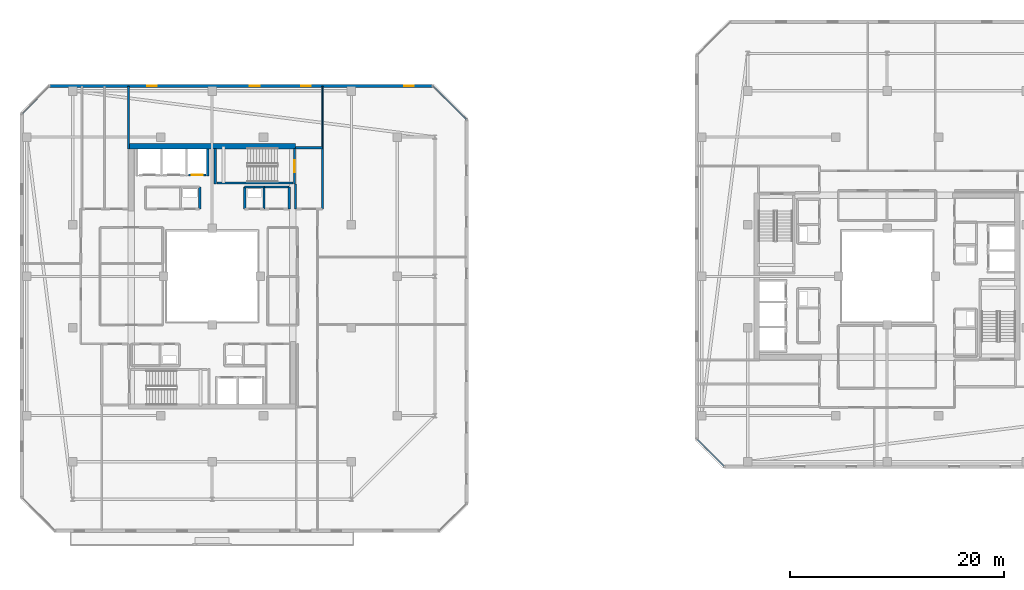
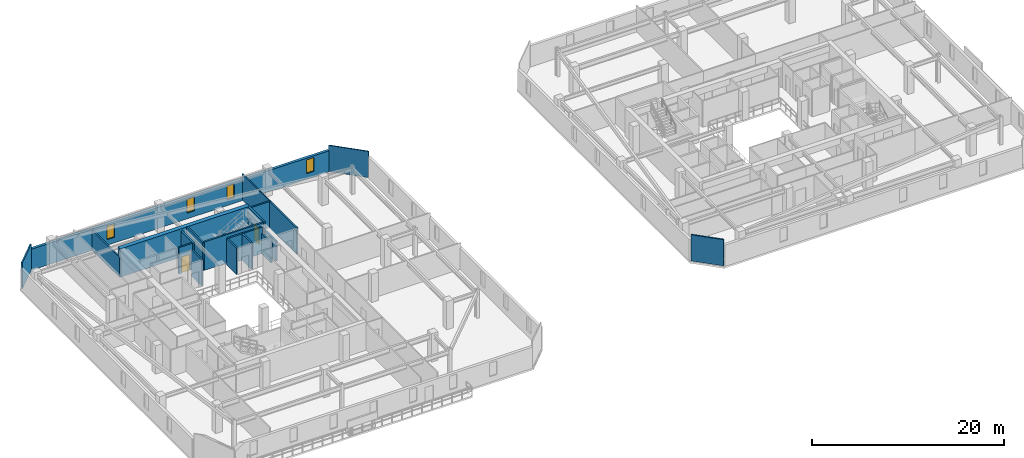
# One storey, part 24 of 35: 21 walls, 4 windows, 2 doors, 6 openings.
"""IFC4 building model written with IfcOpenShell, lengths in metres."""

import ifcopenshell
import ifcopenshell.guid

model = None  # the IFC model being written
_history = None  # IfcOwnerHistory: only IFC2X3 demands one
_inside = {}  # id of a spatial element -> (the spatial element, [elements in it])
_under = {}  # id of a project, library or spatial element -> (it, [spatial elements below it])
_declared = {}  # id of a project -> (the project, [libraries it declares])
_typed = {}  # id of a type object -> (the type object, [elements of that type])
_made_of = {}  # id of a material, layer set ... -> (it, [elements and type objects made of it])


def new_model(schema):
    """Start an empty IFC model of exactly this schema.

    Asked for "IFC4X3", IfcOpenShell would pick the latest addendum, in which some entities
    have other attributes; the version numbers below select the first issue.
    IFC2X3 requires an IfcOwnerHistory on every rooted entity: one is made here for all.
    """
    global model, _history
    if schema == "IFC4X3":
        model = ifcopenshell.file(schema_version=(4, 3, 0, 0))
    else:
        model = ifcopenshell.file(schema=schema)
    _inside.clear()
    _under.clear()
    _declared.clear()
    _typed.clear()
    _made_of.clear()
    _history = None
    if model.schema == "IFC2X3":
        org = make("IfcOrganization", Name="unknown")
        user = make(
            "IfcPersonAndOrganization",
            ThePerson=make("IfcPerson", FamilyName="unknown"),
            TheOrganization=org,
        )
        app = make(
            "IfcApplication",
            ApplicationDeveloper=org,
            Version="unknown",
            ApplicationFullName="unknown",
            ApplicationIdentifier="unknown",
        )
        _history = make(
            "IfcOwnerHistory",
            OwningUser=user,
            OwningApplication=app,
            ChangeAction="ADDED",
            CreationDate=0,
        )
    return model


def make(cls, **values):
    """One entity of the class cls with the attributes given. An attribute that is None is left unset."""
    return model.create_entity(
        cls, **{name: value for name, value in values.items() if value is not None}
    )


def rooted(cls, **values):
    """An entity with a GlobalId (a new one), such as an element, a storey or a relation."""
    return make(cls, GlobalId=ifcopenshell.guid.new(), OwnerHistory=_history, **values)


def si_unit(unit_type, name, prefix=None):
    """IfcSIUnit, for example si_unit("LENGTHUNIT", "METRE", prefix="MILLI")."""
    return make("IfcSIUnit", UnitType=unit_type, Prefix=prefix, Name=name)


def assignment(units):
    """IfcUnitAssignment: the units of a project."""
    return None if units is None else make("IfcUnitAssignment", Units=units)


def point(xyz):
    """IfcCartesianPoint."""
    return None if xyz is None else make("IfcCartesianPoint", Coordinates=xyz)


def direction(xyz):
    """IfcDirection."""
    return None if xyz is None else make("IfcDirection", DirectionRatios=xyz)


def frame(location, z_axis=None, x_axis=None):
    """IfcAxis2Placement3D, a coordinate frame: its origin and axes. An axis left out is left unset."""
    return make(
        "IfcAxis2Placement3D",
        Location=point(location),
        Axis=direction(z_axis),
        RefDirection=direction(x_axis),
    )


def frame_2d(location, x_axis=None):
    """IfcAxis2Placement2D, a coordinate frame in the plane: its origin and x axis."""
    return make(
        "IfcAxis2Placement2D", Location=point(location), RefDirection=direction(x_axis)
    )


def origin():
    """The frame at (0, 0, 0) with its axes left unset."""
    return frame((0.0, 0.0, 0.0))


def place(relative_to, where):
    """IfcLocalPlacement: puts the frame where relative to a parent placement (None: the world)."""
    return make(
        "IfcLocalPlacement", PlacementRelTo=relative_to, RelativePlacement=where
    )


def context(
    kind, dimensions, precision=None, world=None, true_north=None, identifier=None
):
    """IfcGeometricRepresentationContext, for example the 3D "Model" context."""
    return make(
        "IfcGeometricRepresentationContext",
        ContextIdentifier=identifier,
        ContextType=kind,
        CoordinateSpaceDimension=dimensions,
        Precision=precision,
        WorldCoordinateSystem=world,
        TrueNorth=true_north,
    )


def subcontext(parent, identifier, kind, view, scale=None):
    """IfcGeometricRepresentationSubContext, for example "Body" below "Model"."""
    return make(
        "IfcGeometricRepresentationSubContext",
        ContextIdentifier=identifier,
        ContextType=kind,
        ParentContext=parent,
        TargetScale=scale,
        TargetView=view,
    )


def project(units=None, contexts=None):
    """IfcProject with its units and contexts."""
    return rooted(
        "IfcProject",
        Name="project",
        RepresentationContexts=contexts,
        UnitsInContext=assignment(units),
    )


def spatial(cls, under=None, at=None, **own):
    """A site, building, storey or space (cls), placed at a placement, below another one or the project."""
    s = rooted(cls, ObjectPlacement=at, **own)
    if under is not None:
        _under.setdefault(under.id(), (under, []))[1].append(s)
    return s


def profile(cls, at=None, kind="AREA", **sizes):
    """A parametric profile (cls). Its sizes go by their IFC names, for example OverallWidth=200.0."""
    return make(cls, ProfileType=kind, Position=at, **sizes)


def rectangle(**sizes):
    """IfcRectangleProfileDef."""
    return profile("IfcRectangleProfileDef", **sizes)


def extrude(swept, where, along, depth):
    """IfcExtrudedAreaSolid: the profile swept, set in the frame where, extruded along a direction by depth."""
    return make(
        "IfcExtrudedAreaSolid",
        SweptArea=swept,
        Position=where,
        ExtrudedDirection=direction(along),
        Depth=depth,
    )


def shape(context_of_items, identifier, shape_type, items):
    """IfcShapeRepresentation: the items that make up one representation, for example the "Body"."""
    return make(
        "IfcShapeRepresentation",
        ContextOfItems=context_of_items,
        RepresentationIdentifier=identifier,
        RepresentationType=shape_type,
        Items=items,
    )


def material(Name=None, Category=None):
    """IfcMaterial."""
    return make("IfcMaterial", Name=Name, Category=Category)


def layer(
    of_material, thickness, ventilated=None, Name=None, Category=None, Priority=None
):
    """IfcMaterialLayer: one layer of a wall or slab, of a material (None: an air gap)."""
    return make(
        "IfcMaterialLayer",
        Material=of_material,
        LayerThickness=thickness,
        IsVentilated=ventilated,
        Name=Name,
        Category=Category,
        Priority=Priority,
    )


def layer_set(layers, Name=None):
    """IfcMaterialLayerSet."""
    return make("IfcMaterialLayerSet", MaterialLayers=layers, LayerSetName=Name)


def made_of(thing, what):
    """Note that an element or type object is made of a material, layer set ...; save() writes the relation."""
    if what is not None:
        _made_of.setdefault(what.id(), (what, []))[1].append(thing)
    return thing


def type_object(cls, material=None, **own):
    """A type object (cls), such as IfcWallType, which elements share."""
    return made_of(rooted(cls, **own), material)


def element(
    cls,
    number,
    at=None,
    inside=None,
    cuts=None,
    type_object=None,
    material=None,
    context=None,
    identifier="Body",
    shape_type=None,
    held_by="IfcProductDefinitionShape",
    body=None,
    shapes=None,
    **own,
):
    """One element of the class cls, such as IfcWall. Its Tag is "e" and its number.

    at: its placement. inside: the storey or other place that contains it. cuts: it is an
    opening in that element (IfcRelVoidsElement). A single representation is given by context,
    identifier, shape_type and body (its items); several are given by shapes. held_by: the class
    of the entity that holds the representations. save() writes the other relations.
    """
    e = rooted(cls, Tag="e%d" % number, ObjectPlacement=at, **own)
    if body is not None:
        shapes = [shape(context, identifier, shape_type, body)]
    if shapes is not None:
        e.Representation = make(held_by, Representations=shapes)
    if inside is not None:
        _inside.setdefault(inside.id(), (inside, []))[1].append(e)
    if cuts is not None:
        rooted(
            "IfcRelVoidsElement", RelatingBuildingElement=cuts, RelatedOpeningElement=e
        )
    if type_object is not None:
        _typed.setdefault(type_object.id(), (type_object, []))[1].append(e)
    return made_of(e, material)


def fill(opening, filler):
    """IfcRelFillsElement: the door or window that sits in an opening."""
    return rooted(
        "IfcRelFillsElement",
        RelatingOpeningElement=opening,
        RelatedBuildingElement=filler,
    )


def aggregate(whole, parts):
    """IfcRelAggregates: a whole, such as a stair, and the parts it consists of."""
    return rooted("IfcRelAggregates", RelatingObject=whole, RelatedObjects=parts)


def save(model, path):
    """Write the relations noted so far, then the file.

    IfcRelAggregates (storeys below a building ...), IfcRelContainedInSpatialStructure (elements
    in a storey), IfcRelDefinesByType, IfcRelAssociatesMaterial and IfcRelDeclares: one each for
    every whole, place, type object, material and project.
    """
    for whole, parts in _under.values():
        aggregate(whole, parts)
    for where, things in _inside.values():
        rooted(
            "IfcRelContainedInSpatialStructure",
            RelatedElements=things,
            RelatingStructure=where,
        )
    for kind, things in _typed.values():
        rooted("IfcRelDefinesByType", RelatedObjects=things, RelatingType=kind)
    for what, things in _made_of.values():
        rooted("IfcRelAssociatesMaterial", RelatedObjects=things, RelatingMaterial=what)
    for by, libraries in _declared.values():
        rooted("IfcRelDeclares", RelatingContext=by, RelatedDefinitions=libraries)
    model.write(path)


model = new_model("IFC4")

# Units and contexts
model_context = context("Model", 3, precision=1e-05, world=origin(), true_north=direction((0.0, 1.0)))
body_context = subcontext(model_context, "Body", "Model", "MODEL_VIEW")
ifc_project = project(units=[si_unit("LENGTHUNIT", "METRE"), si_unit("AREAUNIT", "SQUARE_METRE"), si_unit("VOLUMEUNIT", "CUBIC_METRE"), si_unit("PLANEANGLEUNIT", "RADIAN"), si_unit("MASSUNIT", "GRAM", prefix="KILO")], contexts=[model_context])

# Site, building, storey
site_placement = place(None, origin())
site = spatial("IfcSite", under=ifc_project, at=site_placement, CompositionType="ELEMENT")
building_placement = place(site_placement, origin())
building = spatial("IfcBuilding", under=site, at=building_placement, Name="Thornwick Lancets Civic Towers", CompositionType="ELEMENT")
storey_placement = place(building_placement, frame((0.0, 0.0, 269.10009765625)))
storey = spatial("IfcBuildingStorey", under=building, at=storey_placement, Name="L72", CompositionType="ELEMENT", Elevation=269.10009765625)

# Wall, opening, door
ifc_material_1 = material(Name="Concrete blockwork C40/50", Category="masonry")
ifc_layer_1 = layer(ifc_material_1, 0.199951171875, Name="Concrete blockwork C40/50")
ifc_layer_set_1 = layer_set([ifc_layer_1], Name="Concrete blockwork C40/50")
wall_type_1 = type_object("IfcWallType", Name="WALL_COMP_200", PredefinedType="STANDARD", material=ifc_layer_set_1)
wall_1_placement = place(storey_placement, frame((24.919921875, 36.449951171875, 0.0), z_axis=(0.0, 0.0, 1.0), x_axis=(-1.0, 0.0, 0.0)))
wall_1 = element("IfcWall", 1, at=wall_1_placement, inside=storey, type_object=wall_type_1, Name="L72 Hoistway Front Wall FL-A2", PredefinedType="STANDARD", context=body_context, shape_type="SweptSolid", body=[
    extrude(rectangle(XDim=1.639892578125, YDim=0.199951171875, at=frame_2d((0.81982421875, 0.0))), origin(), (0.0, 0.0, 1.0), 3.33984375),
])
opening_1_placement = place(wall_1_placement, frame((0.31005859375, 0.0, 0.0)))
opening_1 = element("IfcOpeningElement", 2, at=opening_1_placement, cuts=wall_1, Name="Opening LD-FL-A2", PredefinedType="OPENING", context=body_context, shape_type="SweptSolid", body=[
    extrude(rectangle(XDim=1.02001953125, YDim=2.06005859375, at=frame_2d((0.510009765625, 1.030029296875))), frame((0.0, 0.10986328125, 0.0), z_axis=(0.0, -1.0, 0.0), x_axis=(1.0, 0.0, 0.0)), (0.0, 0.0, 1.0), 0.219970703125),
])
ifc_material_2 = material(Name="Brushed bronze stainless steel", Category="steel")
door_type_1 = type_object("IfcDoorType", Name="DOOR_LIFT_SLIDE", OperationType="SLIDING_TO_LEFT", PredefinedType="DOOR", material=ifc_material_2)
door_1_placement = place(opening_1_placement, origin())
door_1 = element("IfcDoor", 3, at=door_1_placement, inside=storey, type_object=door_type_1, Name="L72 Sliding Lift Landing Door LD-FL-A2", OperationType="SLIDING_TO_LEFT", OverallHeight=2.06005859375, OverallWidth=1.02001953125, PredefinedType="DOOR", context=body_context, shape_type="SweptSolid", body=[
    extrude(rectangle(XDim=1.02001953125, YDim=2.06005859375, at=frame_2d((0.510009765625, 1.030029296875))), frame((0.0, 0.02490234375, 0.0), z_axis=(0.0, -1.0, 0.0), x_axis=(1.0, 0.0, 0.0)), (0.0, 0.0, 1.0), 0.050048828125),
])
fill(opening_1, door_1)

# Walls
wall_2_placement = place(storey_placement, frame((25.10009765625, 36.35205078125, 0.0), z_axis=(0.0, 0.0, 1.0), x_axis=(0.0, 1.0, 0.0)))
element("IfcWall", 4, at=wall_2_placement, inside=storey, type_object=wall_type_1, Name="L72 Hoistway Shaft Wall FL-A2 E", PredefinedType="STANDARD", context=body_context, shape_type="SweptSolid", body=[
    extrude(rectangle(XDim=2.535888671875, YDim=0.199951171875, at=frame_2d((1.26806640625, 0.0))), origin(), (0.0, 0.0, 1.0), 3.33984375),
])
wall_3_placement = place(storey_placement, frame((35.800048828125, 33.300048828125, 0.0), z_axis=(0.0, 0.0, 1.0), x_axis=(0.0, 1.0, 0.0)))
element("IfcWall", 5, at=wall_3_placement, inside=storey, type_object=wall_type_1, Name="L72 Partition L72-A-FFLOB2 E2", PredefinedType="STANDARD", context=body_context, shape_type="SweptSolid", body=[
    extrude(rectangle(XDim=5.699951171875, YDim=0.199951171875, at=frame_2d((2.85009765625, 0.0))), origin(), (0.0, 0.0, 1.0), 3.33984375),
])
wall_4_placement = place(storey_placement, frame((35.800048828125, 39.0, 0.0), z_axis=(0.0, 0.0, 1.0), x_axis=(-1.0, 0.0, 0.0)))
element("IfcWall", 6, at=wall_4_placement, inside=storey, type_object=wall_type_1, Name="L72 Partition L72-A-FFLOB2 E3", PredefinedType="STANDARD", context=body_context, shape_type="SweptSolid", body=[
    extrude(rectangle(XDim=2.5, YDim=0.199951171875, at=frame_2d((1.25, 0.0))), origin(), (0.0, 0.0, 1.0), 3.33984375),
])
wall_5_placement = place(storey_placement, frame((33.300048828125, 35.60009765625, 0.0), z_axis=(0.0, 0.0, 1.0), x_axis=(0.0, -1.0, 0.0)))
element("IfcWall", 7, at=wall_5_placement, inside=storey, type_object=wall_type_1, Name="L72 Partition L72-A-FFLOB2 E4", PredefinedType="STANDARD", context=body_context, shape_type="SweptSolid", body=[
    extrude(rectangle(XDim=2.300048828125, YDim=0.199951171875, at=frame_2d((1.14990234375, 0.0))), origin(), (0.0, 0.0, 1.0), 2.544921875),
])
for number, where, z_axis, x_axis, name in (
    (8, (24.35009765625, 33.300048828125, 0.0), (0.0, 0.0, 1.0), (0.0, 1.0, 0.0), "L72 Partition L72-A-DUCT2 E2"),
    (9, (30.35009765625, 33.300048828125, 0.0), (0.0, 0.0, 1.0), (0.0, 1.0, 0.0), "L72 Partition L72-A-RISER2 E2"),
):
    element("IfcWall", number, at=place(storey_placement, frame(where, z_axis=z_axis, x_axis=x_axis)), inside=storey, type_object=wall_type_1, Name=name, PredefinedType="STANDARD", context=body_context, shape_type="SweptSolid", body=[
        extrude(rectangle(XDim=2.050048828125, YDim=0.199951171875, at=frame_2d((1.02490234375, 0.0))), origin(), (0.0, 0.0, 1.0), 3.33984375),
    ])
wall_6_placement = place(storey_placement, frame((30.35009765625, 35.35009765625, 0.0), z_axis=(0.0, 0.0, 1.0), x_axis=(-1.0, 0.0, 0.0)))
element("IfcWall", 10, at=wall_6_placement, inside=storey, type_object=wall_type_1, Name="L72 Partition L72-A-RISER2 E3", PredefinedType="STANDARD", context=body_context, shape_type="SweptSolid", body=[
    extrude(rectangle(XDim=1.800048828125, YDim=0.199951171875, at=frame_2d((0.89990234375, 0.0))), origin(), (0.0, 0.0, 1.0), 3.33984375),
])
wall_7_placement = place(storey_placement, frame((28.550048828125, 35.35009765625, 0.0), z_axis=(0.0, 0.0, 1.0), x_axis=(0.0, -1.0, 0.0)))
element("IfcWall", 11, at=wall_7_placement, inside=storey, type_object=wall_type_1, Name="L72 Partition L72-A-RISER2 E4", PredefinedType="STANDARD", context=body_context, shape_type="SweptSolid", body=[
    extrude(rectangle(XDim=2.050048828125, YDim=0.199951171875, at=frame_2d((1.02490234375, 0.0))), origin(), (0.0, 0.0, 1.0), 3.33984375),
])
wall_8_placement = place(storey_placement, frame((32.699951171875, 35.35009765625, 0.0), z_axis=(0.0, 0.0, 1.0), x_axis=(0.0, -1.0, 0.0)))
element("IfcWall", 12, at=wall_8_placement, inside=storey, type_object=wall_type_1, Name="L72 Partition L72-A-STR E1", PredefinedType="STANDARD", context=body_context, shape_type="SweptSolid", body=[
    extrude(rectangle(XDim=2.050048828125, YDim=0.199951171875, at=frame_2d((1.02490234375, 0.0))), origin(), (0.0, 0.0, 1.0), 2.544921875),
])
wall_9_placement = place(storey_placement, frame((30.35009765625, 35.35009765625, 0.0), z_axis=(0.0, 0.0, 1.0), x_axis=(1.0, 0.0, 0.0)))
element("IfcWall", 13, at=wall_9_placement, inside=storey, type_object=wall_type_1, Name="L72 Partition L72-A-STR E4", PredefinedType="STANDARD", context=body_context, shape_type="SweptSolid", body=[
    extrude(rectangle(XDim=2.349853515625, YDim=0.199951171875, at=frame_2d((1.1748046875, 0.0))), origin(), (0.0, 0.0, 1.0), 3.33984375),
])
ifc_material_3 = material(Name="Concrete C50/60", Category="concrete")
ifc_layer_2 = layer(ifc_material_3, 0.5, Name="Concrete C50/60")
ifc_layer_set_2 = layer_set([ifc_layer_2], Name="Concrete C50/60")
wall_type_2 = type_object("IfcWallType", Name="WALL_CORE_500", PredefinedType="SHEAR", material=ifc_layer_set_2)
wall_10_placement = place(storey_placement, frame((17.699951171875, 39.14990234375, 0.0), z_axis=(0.0, 0.0, 1.0), x_axis=(1.0, 0.0, 0.0)))
element("IfcWall", 14, at=wall_10_placement, inside=storey, type_object=wall_type_2, Name="L72 Split Core A2 Shear Wall N", PredefinedType="SHEAR", context=body_context, shape_type="SweptSolid", body=[
    extrude(rectangle(XDim=15.60009765625, YDim=0.5, at=frame_2d((7.800048828125, 0.0))), origin(), (0.0, 0.0, 1.0), 3.599853515625),
])

# Wall, openings, windows
ifc_material_4 = material(Name="Insulated buff terracotta rainscreen on concrete C40/50", Category="masonry")
ifc_layer_3 = layer(ifc_material_4, 0.320068359375, Name="Insulated buff terracotta rainscreen on concrete C40/50")
ifc_layer_set_3 = layer_set([ifc_layer_3], Name="Insulated buff terracotta rainscreen on concrete C40/50")
wall_type_3 = type_object("IfcWallType", Name="WALL_EXT_TERRA_320", PredefinedType="STANDARD", material=ifc_layer_set_3)
wall_11_placement = place(storey_placement, frame((46.12939453125, 44.7626953125, 0.0), z_axis=(0.0, 0.0, 1.0), x_axis=(-0.999999998513, 5.4540124e-05, 0.0)))
wall_11 = element("IfcWall", 15, at=wall_11_placement, inside=storey, type_object=wall_type_3, Name="L72 Tower A Terracotta Facade Wall E4", PredefinedType="STANDARD", context=body_context, shape_type="SweptSolid", body=[
    extrude(rectangle(XDim=35.810791015625, YDim=0.320068359375, at=frame_2d((17.9052734375, 0.0))), origin(), (0.0, 0.0, 1.0), 2.699951171875),
])
opening_2_placement = place(wall_11_placement, frame((1.800048828125, 0.0, 0.719970703125)))
opening_2 = element("IfcOpeningElement", 16, at=opening_2_placement, cuts=wall_11, Name="Opening WL-01", PredefinedType="OPENING", context=body_context, shape_type="SweptSolid", body=[
    extrude(rectangle(XDim=0.89990234375, YDim=1.75, at=frame_2d((0.449951171875, 0.875))), frame((0.0, 0.169921875, 0.0), z_axis=(0.0, -1.0, 0.0), x_axis=(1.0, 0.0, 0.0)), (0.0, 0.0, 1.0), 0.340087890625),
])
opening_3_placement = place(wall_11_placement, frame((11.39990234375, 0.0, 0.719970703125)))
opening_3 = element("IfcOpeningElement", 17, at=opening_3_placement, cuts=wall_11, Name="Opening WL-01", PredefinedType="OPENING", context=body_context, shape_type="SweptSolid", body=[
    extrude(rectangle(XDim=0.89990234375, YDim=1.75, at=frame_2d((0.449951171875, 0.875))), frame((0.0, 0.169921875, 0.0), z_axis=(0.0, -1.0, 0.0), x_axis=(1.0, 0.0, 0.0)), (0.0, 0.0, 1.0), 0.340087890625),
])
opening_4_placement = place(wall_11_placement, frame((16.199951171875, 0.0, 0.719970703125)))
opening_4 = element("IfcOpeningElement", 18, at=opening_4_placement, cuts=wall_11, Name="Opening WL-01", PredefinedType="OPENING", context=body_context, shape_type="SweptSolid", body=[
    extrude(rectangle(XDim=0.89990234375, YDim=1.75, at=frame_2d((0.449951171875, 0.875))), frame((0.0, 0.169921875, 0.0), z_axis=(0.0, -1.0, 0.0), x_axis=(1.0, 0.0, 0.0)), (0.0, 0.0, 1.0), 0.340087890625),
])
opening_5_placement = place(wall_11_placement, frame((25.800048828125, 0.0, 0.719970703125)))
opening_5 = element("IfcOpeningElement", 19, at=opening_5_placement, cuts=wall_11, Name="Opening WL-01", PredefinedType="OPENING", context=body_context, shape_type="SweptSolid", body=[
    extrude(rectangle(XDim=0.89990234375, YDim=1.75, at=frame_2d((0.449951171875, 0.875))), frame((0.0, 0.169921875, 0.0), z_axis=(0.0, -1.0, 0.0), x_axis=(1.0, 0.0, 0.0)), (0.0, 0.0, 1.0), 0.340087890625),
])
ifc_material_5 = material(Name="Clear low-e double glazing in bronze frame", Category="glass")
window_type = type_object("IfcWindowType", Name="WIN_LANCET_900", PartitioningType="SINGLE_PANEL", PredefinedType="WINDOW", material=ifc_material_5)
window_1_placement = place(opening_2_placement, origin())
window_1 = element("IfcWindow", 20, at=window_1_placement, inside=storey, type_object=window_type, Name="L72 Tower A Staggered Lancet Window E4-1", OverallHeight=1.75, OverallWidth=0.89990234375, PartitioningType="SINGLE_PANEL", PredefinedType="WINDOW", context=body_context, shape_type="SweptSolid", body=[
    extrude(rectangle(XDim=0.89990234375, YDim=1.75, at=frame_2d((0.449951171875, 0.875))), frame((0.0, 0.030029296875, 0.0), z_axis=(0.0, -1.0, 0.0), x_axis=(1.0, 0.0, 0.0)), (0.0, 0.0, 1.0), 0.06005859375),
])
fill(opening_2, window_1)
window_2_placement = place(opening_3_placement, origin())
window_2 = element("IfcWindow", 21, at=window_2_placement, inside=storey, type_object=window_type, Name="L72 Tower A Staggered Lancet Window E4-2", OverallHeight=1.75, OverallWidth=0.89990234375, PartitioningType="SINGLE_PANEL", PredefinedType="WINDOW", context=body_context, shape_type="SweptSolid", body=[
    extrude(rectangle(XDim=0.89990234375, YDim=1.75, at=frame_2d((0.449951171875, 0.875))), frame((0.0, 0.030029296875, 0.0), z_axis=(0.0, -1.0, 0.0), x_axis=(1.0, 0.0, 0.0)), (0.0, 0.0, 1.0), 0.06005859375),
])
fill(opening_3, window_2)
window_3_placement = place(opening_4_placement, origin())
window_3 = element("IfcWindow", 22, at=window_3_placement, inside=storey, type_object=window_type, Name="L72 Tower A Staggered Lancet Window E4-3", OverallHeight=1.75, OverallWidth=0.89990234375, PartitioningType="SINGLE_PANEL", PredefinedType="WINDOW", context=body_context, shape_type="SweptSolid", body=[
    extrude(rectangle(XDim=0.89990234375, YDim=1.75, at=frame_2d((0.449951171875, 0.875))), frame((0.0, 0.030029296875, 0.0), z_axis=(0.0, -1.0, 0.0), x_axis=(1.0, 0.0, 0.0)), (0.0, 0.0, 1.0), 0.06005859375),
])
fill(opening_4, window_3)
window_4_placement = place(opening_5_placement, origin())
window_4 = element("IfcWindow", 23, at=window_4_placement, inside=storey, type_object=window_type, Name="L72 Tower A Staggered Lancet Window E4-4", OverallHeight=1.75, OverallWidth=0.89990234375, PartitioningType="SINGLE_PANEL", PredefinedType="WINDOW", context=body_context, shape_type="SweptSolid", body=[
    extrude(rectangle(XDim=0.89990234375, YDim=1.75, at=frame_2d((0.449951171875, 0.875))), frame((0.0, 0.030029296875, 0.0), z_axis=(0.0, -1.0, 0.0), x_axis=(1.0, 0.0, 0.0)), (0.0, 0.0, 1.0), 0.06005859375),
])
fill(opening_5, window_4)

# Walls
ifc_material_6 = material(Name="Acoustic gypsum board partition")
ifc_layer_4 = layer(ifc_material_6, 0.1201171875, Name="Acoustic gypsum board partition")
ifc_layer_set_4 = layer_set([ifc_layer_4], Name="Acoustic gypsum board partition")
wall_type_4 = type_object("IfcWallType", Name="WALL_PART_120", PredefinedType="PARTITIONING", material=ifc_layer_set_4)
wall_12_placement = place(storey_placement, frame((35.800048828125, 39.0, 0.0), z_axis=(0.0, 0.0, 1.0), x_axis=(0.0, 1.0, 0.0)))
element("IfcWall", 24, at=wall_12_placement, inside=storey, type_object=wall_type_4, Name="L72 Partition L72-A-E3 E3", PredefinedType="PARTITIONING", context=body_context, shape_type="SweptSolid", body=[
    extrude(rectangle(XDim=5.719970703125, YDim=0.1201171875, at=frame_2d((2.85986328125, 0.0))), origin(), (0.0, 0.0, 1.0), 3.33984375),
])
wall_13_placement = place(storey_placement, frame((46.17138671875, 44.719970703125, 0.0), z_axis=(0.0, 0.0, 1.0), x_axis=(0.707106781187, -0.707106781187, 0.0)))
element("IfcWall", 25, at=wall_13_placement, inside=storey, type_object=wall_type_4, Name="L72 Partition L72-A-E3 E5", PredefinedType="PARTITIONING", context=body_context, shape_type="SweptSolid", body=[
    extrude(rectangle(XDim=4.311279296875, YDim=0.1201171875, at=frame_2d((2.15576171875, 0.0))), origin(), (0.0, 0.0, 1.0), 3.33984375),
])
ifc_material_7 = material(Name="Twin-stud acoustic gypsum board")
ifc_layer_5 = layer(ifc_material_7, 0.14990234375, Name="Twin-stud acoustic gypsum board")
ifc_layer_set_5 = layer_set([ifc_layer_5], Name="Twin-stud acoustic gypsum board")
wall_type_5 = type_object("IfcWallType", Name="WALL_PART_150", PredefinedType="PARTITIONING", material=ifc_layer_set_5)
wall_14_placement = place(storey_placement, frame((17.699951171875, 44.719970703125, 0.0), z_axis=(0.0, 0.0, 1.0), x_axis=(0.0, -1.0, 0.0)))
element("IfcWall", 26, at=wall_14_placement, inside=storey, type_object=wall_type_5, Name="L72 Partition L72-A-RECLAIM-M2 E3", PredefinedType="PARTITIONING", context=body_context, shape_type="SweptSolid", body=[
    extrude(rectangle(XDim=5.820068359375, YDim=0.14990234375, at=frame_2d((2.91015625, 0.0))), origin(), (0.0, 0.0, 1.0), 2.544921875),
])
for number, where, z_axis, x_axis, name in (
    (27, (7.780029296875, 42.225341796875, 0.0), (0.0, 0.0, 1.0), (0.707106781187, 0.707106781187, 0.0), "L72 Partition L72-A-W2 E2"),
    (28, (73.274658203125, 9.280029296875, 0.0), (0.0, 0.0, 1.0), (-0.707106781187, 0.707106781187, 0.0), "L72 Partition L72-B-W2 E2"),
):
    element("IfcWall", number, at=place(storey_placement, frame(where, z_axis=z_axis, x_axis=x_axis)), inside=storey, type_object=wall_type_5, Name=name, PredefinedType="PARTITIONING", context=body_context, shape_type="SweptSolid", body=[
        extrude(rectangle(XDim=3.52783203125, YDim=0.14990234375, at=frame_2d((1.763916015625, 0.0))), origin(), (0.0, 0.0, 1.0), 3.33984375),
    ])

# Wall, opening, door
ifc_material_8 = material(Name="Concrete C40/50", Category="concrete")
ifc_layer_6 = layer(ifc_material_8, 0.199951171875, Name="Concrete C40/50")
ifc_layer_set_6 = layer_set([ifc_layer_6], Name="Concrete C40/50")
wall_type_6 = type_object("IfcWallType", Name="WALL_SHAFT_200", PredefinedType="SHEAR", material=ifc_layer_set_6)
wall_15_placement = place(storey_placement, frame((33.199951171875, 38.949951171875, 0.0), z_axis=(0.0, 0.0, 1.0), x_axis=(0.0, -1.0, 0.0)))
wall_15 = element("IfcWall", 29, at=wall_15_placement, inside=storey, type_object=wall_type_6, Name="L72 ST-A2 Fire Stair Core Wall NEAR", PredefinedType="SHEAR", context=body_context, shape_type="SweptSolid", body=[
    extrude(rectangle(XDim=3.349853515625, YDim=0.199951171875, at=frame_2d((1.6748046875, 0.0))), origin(), (0.0, 0.0, 1.0), 3.599853515625),
])
opening_6_placement = place(wall_15_placement, frame((1.125, 0.0, 0.0)))
opening_6 = element("IfcOpeningElement", 30, at=opening_6_placement, cuts=wall_15, Name="Opening D-ST-A2-L72", PredefinedType="OPENING", context=body_context, shape_type="SweptSolid", body=[
    extrude(rectangle(XDim=1.10009765625, YDim=2.10009765625, at=frame_2d((0.550048828125, 1.050048828125))), frame((0.0, 0.10986328125, 0.0), z_axis=(0.0, -1.0, 0.0), x_axis=(1.0, 0.0, 0.0)), (0.0, 0.0, 1.0), 0.219970703125),
])
ifc_material_9 = material(Name="Fire-resisting steel and hardwood", Category="steel")
door_type_2 = type_object("IfcDoorType", Name="DOOR_STAIR_FD60", OperationType="NOTDEFINED", PredefinedType="DOOR", material=ifc_material_9)
door_2_placement = place(opening_6_placement, origin())
door_2 = element("IfcDoor", 31, at=door_2_placement, inside=storey, type_object=door_type_2, Name="L72 ST-A2 Exit Stair Door", OperationType="SINGLE_SWING_LEFT", OverallHeight=2.10009765625, OverallWidth=1.10009765625, PredefinedType="DOOR", context=body_context, shape_type="SweptSolid", body=[
    extrude(rectangle(XDim=1.10009765625, YDim=2.10009765625, at=frame_2d((0.550048828125, 1.050048828125))), frame((0.0, 0.02490234375, 0.0), z_axis=(0.0, -1.0, 0.0), x_axis=(1.0, 0.0, 0.0)), (0.0, 0.0, 1.0), 0.050048828125),
])
fill(opening_6, door_2)

# Walls
wall_16_placement = place(storey_placement, frame((25.800048828125, 35.60009765625, 0.0), z_axis=(0.0, 0.0, 1.0), x_axis=(0.0, 1.0, 0.0)))
element("IfcWall", 32, at=wall_16_placement, inside=storey, type_object=wall_type_6, Name="L72 ST-A2 Fire Stair Core Wall FAR", PredefinedType="SHEAR", context=body_context, shape_type="SweptSolid", body=[
    extrude(rectangle(XDim=3.349853515625, YDim=0.199951171875, at=frame_2d((1.6748046875, 0.0))), origin(), (0.0, 0.0, 1.0), 3.599853515625),
])
wall_17_placement = place(storey_placement, frame((25.949951171875, 35.702880859375, 0.0), z_axis=(0.0, 0.0, 1.0), x_axis=(1.0, 0.0, 0.0)))
element("IfcWall", 33, at=wall_17_placement, inside=storey, type_object=wall_type_6, Name="L72 ST-A2 Fire Stair Core Wall RIGHT", PredefinedType="SHEAR", context=body_context, shape_type="SweptSolid", body=[
    extrude(rectangle(XDim=7.10009765625, YDim=0.199951171875, at=frame_2d((3.550048828125, 0.0))), origin(), (0.0, 0.0, 1.0), 3.599853515625),
])

save(model, "model.ifc")
